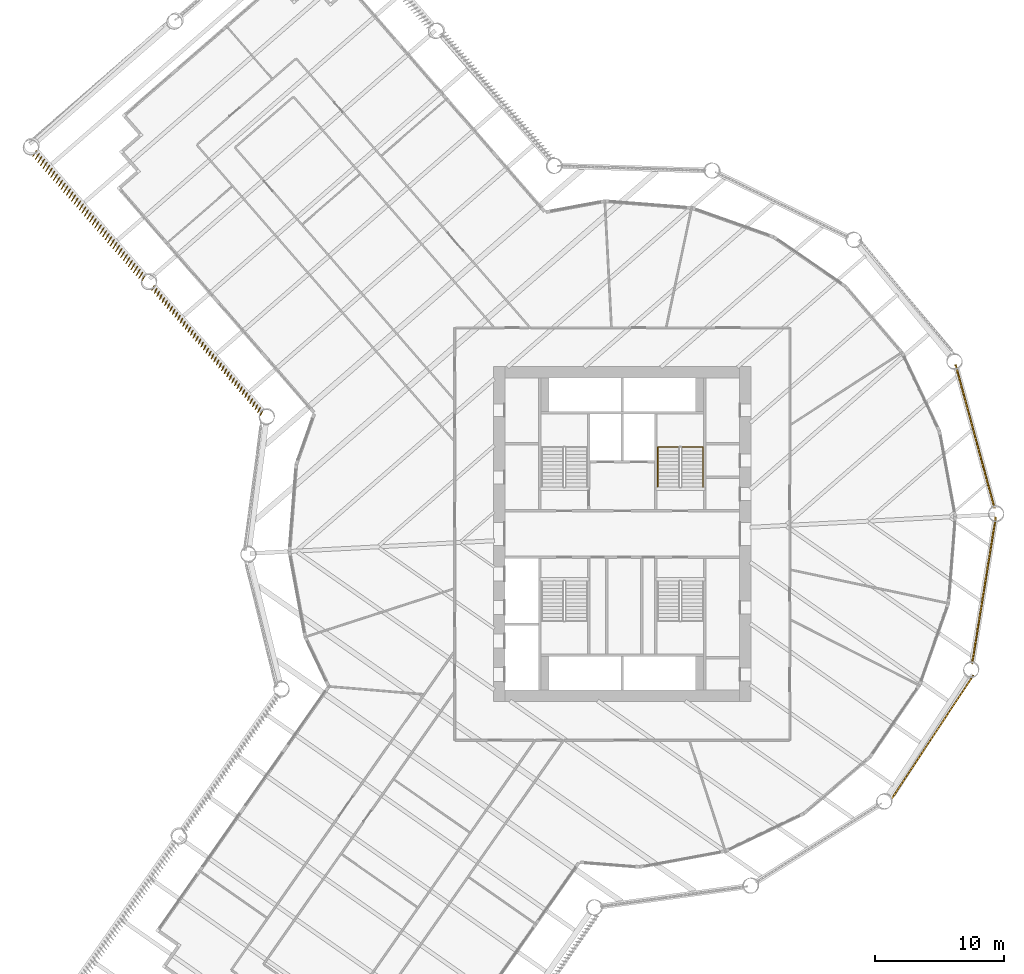
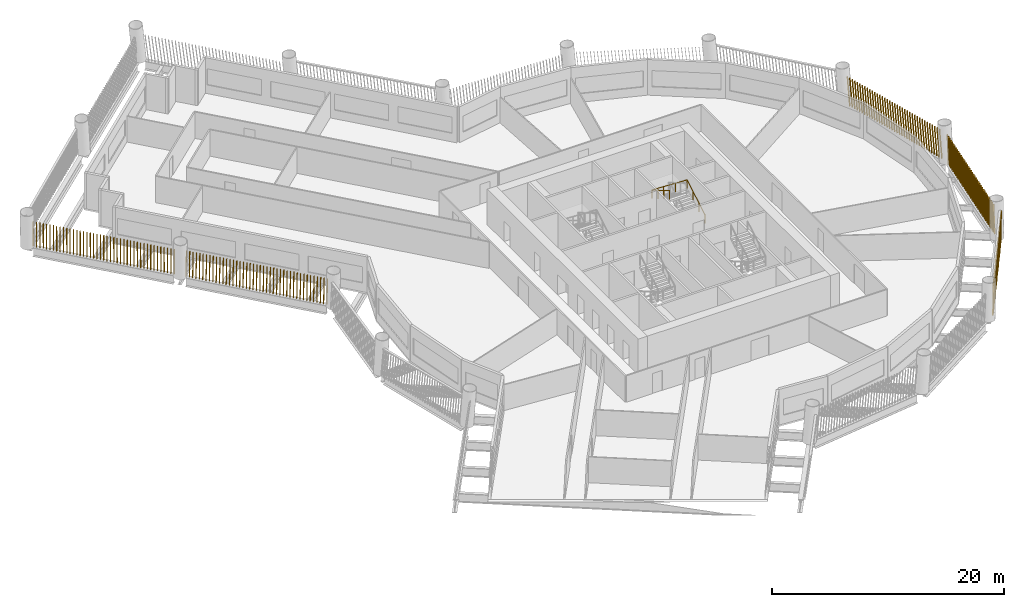
# One storey, part 13 of 15: 5 shading devices, 1 railing.
"""IFC4 building model written with IfcOpenShell, lengths in metres."""

from ifc_helpers import new_model, si_unit, direction, frame, frame_2d, origin, origin_2d, place, context, subcontext, project, spatial, rectangle, circle, composite_profile, extrude, material, type_object, element, save


model = new_model("IFC4")

# Units and contexts
model_context = context("Model", 3, precision=1e-05, world=origin(), true_north=direction((0.0, 1.0)))
body_context = subcontext(model_context, "Body", "Model", "MODEL_VIEW")
ifc_project = project(units=[si_unit("LENGTHUNIT", "METRE"), si_unit("AREAUNIT", "SQUARE_METRE"), si_unit("VOLUMEUNIT", "CUBIC_METRE"), si_unit("PLANEANGLEUNIT", "RADIAN"), si_unit("MASSUNIT", "GRAM", prefix="KILO")], contexts=[model_context])

# Site, building, storey
site_placement = place(None, origin())
site = spatial("IfcSite", under=ifc_project, at=site_placement, CompositionType="ELEMENT")
building_placement = place(site_placement, origin())
building = spatial("IfcBuilding", under=site, at=building_placement, Name="Tarsis Ring Headquarters", CompositionType="ELEMENT")
storey_placement = place(building_placement, frame((0.0, 0.0, 51.699951171875)))
storey = spatial("IfcBuildingStorey", under=building, at=storey_placement, Name="L10", CompositionType="ELEMENT", Elevation=51.699951171875)

# Railing
ifc_material_1 = material(Name="Steel S355", Category="steel")
railing_type = type_object("IfcRailingType", Name="Core stair handrail 900", PredefinedType="HANDRAIL", material=ifc_material_1)
railing_placement = place(storey_placement, frame((6.25, 3.659912109375, 0.16259765625)))
element("IfcRailing", 1, at=railing_placement, inside=storey, type_object=railing_type, Name="L10 ST2 stair handrail 1", PredefinedType="HANDRAIL", context=body_context, shape_type="SweptSolid", body=[
    extrude(circle(Radius=0.02392578125, at=origin_2d()), frame((0.0, 0.0, 0.8759765625), z_axis=(0.0, 0.864920483161, 0.501908913857), x_axis=(-1.0, 0.0, 0.0)), (0.0, 0.0, 1.0), 3.56103515625),
    extrude(circle(Radius=0.02392578125, at=origin_2d()), frame((0.0, 3.080078125, 2.6630859375), z_axis=(-0.998922641604, 0.0, 0.046406422943), x_axis=(0.0, -1.0, 0.0)), (0.0, 0.0, 1.0), 3.503662109375),
    extrude(circle(Radius=0.02392578125, at=origin_2d()), frame((-3.5, 3.080078125, 2.82568359375), z_axis=(0.0, -0.864890721111, 0.501960198159), x_axis=(1.0, 0.0, 0.0)), (0.0, 0.0, 1.0), 3.561279296875),
    extrude(circle(Radius=0.02099609375, at=origin_2d()), origin(), (0.0, 0.0, 1.0), 0.851806640625),
    extrude(circle(Radius=0.02099609375, at=origin_2d()), frame((0.0, 1.026611328125, 0.595703125)), (0.0, 0.0, 1.0), 0.851806640625),
    extrude(circle(Radius=0.02099609375, at=origin_2d()), frame((0.0, 2.053466796875, 1.191650390625)), (0.0, 0.0, 1.0), 0.851806640625),
    extrude(circle(Radius=0.02099609375, at=origin_2d()), frame((0.0, 3.080078125, 1.787353515625)), (0.0, 0.0, 1.0), 0.851806640625),
    extrude(circle(Radius=0.02099609375, at=origin_2d()), frame((-1.166748046875, 3.080078125, 1.841552734375)), (0.0, 0.0, 1.0), 0.851806640625),
    extrude(circle(Radius=0.02099609375, at=origin_2d()), frame((-2.333251953125, 3.080078125, 1.895751953125)), (0.0, 0.0, 1.0), 0.851806640625),
    extrude(circle(Radius=0.02099609375, at=origin_2d()), frame((-3.5, 3.080078125, 1.949951171875)), (0.0, 0.0, 1.0), 0.851806640625),
    extrude(circle(Radius=0.02099609375, at=origin_2d()), frame((-3.5, 2.053466796875, 2.5458984375)), (0.0, 0.0, 1.0), 0.851806640625),
    extrude(circle(Radius=0.02099609375, at=origin_2d()), frame((-3.5, 1.026611328125, 3.1416015625)), (0.0, 0.0, 1.0), 0.851806640625),
    extrude(circle(Radius=0.02099609375, at=origin_2d()), frame((-3.5, 0.0, 3.737548828125)), (0.0, 0.0, 1.0), 0.851806640625),
])

# Shading devices
ifc_material_2 = material(Name="Terracotta baguette", Category="masonry")
shading_device_type = type_object("IfcShadingDeviceType", Name="Terracotta baguette screen", PredefinedType="USERDEFINED", material=ifc_material_2)
shading_device_1_placement = place(storey_placement, frame((20.882080078125, -20.57470703125, 0.0), z_axis=(0.0, 0.0, 1.0), x_axis=(0.552131261394, 0.833752929942, 0.0)))
element("IfcShadingDevice", 2, at=shading_device_1_placement, inside=storey, type_object=shading_device_type, Name="Baguette screen L10-09", ObjectType="Terracotta baguette screen", PredefinedType="USERDEFINED", context=body_context, shape_type="SweptSolid", body=[
    extrude(composite_profile([rectangle(XDim=0.06005859375, YDim=0.1201171875, at=frame_2d((0.030029296875, 0.0))), rectangle(XDim=0.06005859375, YDim=0.1201171875, at=frame_2d((0.33251953125, 0.0))), rectangle(XDim=0.06005859375, YDim=0.1201171875, at=frame_2d((0.634765625, 0.0))), rectangle(XDim=0.06005859375, YDim=0.1201171875, at=frame_2d((0.937255859375, 0.0))), rectangle(XDim=0.06005859375, YDim=0.1201171875, at=frame_2d((1.239501953125, 0.0))), rectangle(XDim=0.06005859375, YDim=0.1201171875, at=frame_2d((1.5419921875, 0.0))), rectangle(XDim=0.06005859375, YDim=0.1201171875, at=frame_2d((1.844482421875, 0.0))), rectangle(XDim=0.06005859375, YDim=0.1201171875, at=frame_2d((2.146728515625, 0.0))), rectangle(XDim=0.06005859375, YDim=0.1201171875, at=frame_2d((2.44921875, 0.0))), rectangle(XDim=0.06005859375, YDim=0.1201171875, at=frame_2d((2.751708984375, 0.0))), rectangle(XDim=0.06005859375, YDim=0.1201171875, at=frame_2d((3.053955078125, 0.0))), rectangle(XDim=0.06005859375, YDim=0.1201171875, at=frame_2d((3.3564453125, 0.0))), rectangle(XDim=0.06005859375, YDim=0.1201171875, at=frame_2d((3.65869140625, 0.0))), rectangle(XDim=0.06005859375, YDim=0.1201171875, at=frame_2d((3.961181640625, 0.0))), rectangle(XDim=0.06005859375, YDim=0.1201171875, at=frame_2d((4.263671875, 0.0))), rectangle(XDim=0.06005859375, YDim=0.1201171875, at=frame_2d((4.56591796875, 0.0))), rectangle(XDim=0.06005859375, YDim=0.1201171875, at=frame_2d((4.868408203125, 0.0))), rectangle(XDim=0.06005859375, YDim=0.1201171875, at=frame_2d((5.1708984375, 0.0))), rectangle(XDim=0.06005859375, YDim=0.1201171875, at=frame_2d((5.47314453125, 0.0))), rectangle(XDim=0.06005859375, YDim=0.1201171875, at=frame_2d((5.775634765625, 0.0))), rectangle(XDim=0.06005859375, YDim=0.1201171875, at=frame_2d((6.077880859375, 0.0))), rectangle(XDim=0.06005859375, YDim=0.1201171875, at=frame_2d((6.38037109375, 0.0))), rectangle(XDim=0.06005859375, YDim=0.1201171875, at=frame_2d((6.682861328125, 0.0))), rectangle(XDim=0.06005859375, YDim=0.1201171875, at=frame_2d((6.985107421875, 0.0))), rectangle(XDim=0.06005859375, YDim=0.1201171875, at=frame_2d((7.28759765625, 0.0))), rectangle(XDim=0.06005859375, YDim=0.1201171875, at=frame_2d((7.590087890625, 0.0))), rectangle(XDim=0.06005859375, YDim=0.1201171875, at=frame_2d((7.892333984375, 0.0))), rectangle(XDim=0.06005859375, YDim=0.1201171875, at=frame_2d((8.19482421875, 0.0))), rectangle(XDim=0.06005859375, YDim=0.1201171875, at=frame_2d((8.4970703125, 0.0))), rectangle(XDim=0.06005859375, YDim=0.1201171875, at=frame_2d((8.799560546875, 0.0))), rectangle(XDim=0.06005859375, YDim=0.1201171875, at=frame_2d((9.10205078125, 0.0))), rectangle(XDim=0.06005859375, YDim=0.1201171875, at=frame_2d((9.404296875, 0.0))), rectangle(XDim=0.06005859375, YDim=0.1201171875, at=frame_2d((9.706787109375, 0.0))), rectangle(XDim=0.06005859375, YDim=0.1201171875, at=frame_2d((10.00927734375, 0.0))), rectangle(XDim=0.06005859375, YDim=0.1201171875, at=frame_2d((10.3115234375, 0.0))), rectangle(XDim=0.06005859375, YDim=0.1201171875, at=frame_2d((10.614013671875, 0.0))), rectangle(XDim=0.06005859375, YDim=0.1201171875, at=frame_2d((10.916259765625, 0.0))), rectangle(XDim=0.06005859375, YDim=0.1201171875, at=frame_2d((11.21875, 0.0)))]), origin(), (0.101509715551, 0.000530985707, 0.994834406172), 2.968017578125),
])
shading_device_2_placement = place(storey_placement, frame((27.135986328125, -10.078369140625, 0.0), z_axis=(0.0, 0.0, 1.0), x_axis=(0.159392295171, 0.987216494845, 0.0)))
element("IfcShadingDevice", 3, at=shading_device_2_placement, inside=storey, type_object=shading_device_type, Name="Baguette screen L10-10", ObjectType="Terracotta baguette screen", PredefinedType="USERDEFINED", context=body_context, shape_type="SweptSolid", body=[
    extrude(composite_profile([rectangle(XDim=0.06005859375, YDim=0.1201171875, at=frame_2d((0.030029296875, 0.0))), rectangle(XDim=0.06005859375, YDim=0.1201171875, at=frame_2d((0.33251953125, 0.0))), rectangle(XDim=0.06005859375, YDim=0.1201171875, at=frame_2d((0.634765625, 0.0))), rectangle(XDim=0.06005859375, YDim=0.1201171875, at=frame_2d((0.937255859375, 0.0))), rectangle(XDim=0.06005859375, YDim=0.1201171875, at=frame_2d((1.239501953125, 0.0))), rectangle(XDim=0.06005859375, YDim=0.1201171875, at=frame_2d((1.5419921875, 0.0))), rectangle(XDim=0.06005859375, YDim=0.1201171875, at=frame_2d((1.844482421875, 0.0))), rectangle(XDim=0.06005859375, YDim=0.1201171875, at=frame_2d((2.146728515625, 0.0))), rectangle(XDim=0.06005859375, YDim=0.1201171875, at=frame_2d((2.44921875, 0.0))), rectangle(XDim=0.06005859375, YDim=0.1201171875, at=frame_2d((2.751708984375, 0.0))), rectangle(XDim=0.06005859375, YDim=0.1201171875, at=frame_2d((3.053955078125, 0.0))), rectangle(XDim=0.06005859375, YDim=0.1201171875, at=frame_2d((3.3564453125, 0.0))), rectangle(XDim=0.06005859375, YDim=0.1201171875, at=frame_2d((3.65869140625, 0.0))), rectangle(XDim=0.06005859375, YDim=0.1201171875, at=frame_2d((3.961181640625, 0.0))), rectangle(XDim=0.06005859375, YDim=0.1201171875, at=frame_2d((4.263671875, 0.0))), rectangle(XDim=0.06005859375, YDim=0.1201171875, at=frame_2d((4.56591796875, 0.0))), rectangle(XDim=0.06005859375, YDim=0.1201171875, at=frame_2d((4.868408203125, 0.0))), rectangle(XDim=0.06005859375, YDim=0.1201171875, at=frame_2d((5.1708984375, 0.0))), rectangle(XDim=0.06005859375, YDim=0.1201171875, at=frame_2d((5.47314453125, 0.0))), rectangle(XDim=0.06005859375, YDim=0.1201171875, at=frame_2d((5.775634765625, 0.0))), rectangle(XDim=0.06005859375, YDim=0.1201171875, at=frame_2d((6.077880859375, 0.0))), rectangle(XDim=0.06005859375, YDim=0.1201171875, at=frame_2d((6.38037109375, 0.0))), rectangle(XDim=0.06005859375, YDim=0.1201171875, at=frame_2d((6.682861328125, 0.0))), rectangle(XDim=0.06005859375, YDim=0.1201171875, at=frame_2d((6.985107421875, 0.0))), rectangle(XDim=0.06005859375, YDim=0.1201171875, at=frame_2d((7.28759765625, 0.0))), rectangle(XDim=0.06005859375, YDim=0.1201171875, at=frame_2d((7.590087890625, 0.0))), rectangle(XDim=0.06005859375, YDim=0.1201171875, at=frame_2d((7.892333984375, 0.0))), rectangle(XDim=0.06005859375, YDim=0.1201171875, at=frame_2d((8.19482421875, 0.0))), rectangle(XDim=0.06005859375, YDim=0.1201171875, at=frame_2d((8.4970703125, 0.0))), rectangle(XDim=0.06005859375, YDim=0.1201171875, at=frame_2d((8.799560546875, 0.0))), rectangle(XDim=0.06005859375, YDim=0.1201171875, at=frame_2d((9.10205078125, 0.0))), rectangle(XDim=0.06005859375, YDim=0.1201171875, at=frame_2d((9.404296875, 0.0))), rectangle(XDim=0.06005859375, YDim=0.1201171875, at=frame_2d((9.706787109375, 0.0))), rectangle(XDim=0.06005859375, YDim=0.1201171875, at=frame_2d((10.00927734375, 0.0))), rectangle(XDim=0.06005859375, YDim=0.1201171875, at=frame_2d((10.3115234375, 0.0))), rectangle(XDim=0.06005859375, YDim=0.1201171875, at=frame_2d((10.614013671875, 0.0))), rectangle(XDim=0.06005859375, YDim=0.1201171875, at=frame_2d((10.916259765625, 0.0))), rectangle(XDim=0.06005859375, YDim=0.1201171875, at=frame_2d((11.21875, 0.0)))]), origin(), (0.100200533552, 0.000525512866, 0.994967123533), 2.967529296875),
])
shading_device_3_placement = place(storey_placement, frame((28.8779296875, 2.0029296875, 0.0), z_axis=(0.0, 0.0, 1.0), x_axis=(-0.261703743896, 0.965143787303, 0.0)))
element("IfcShadingDevice", 4, at=shading_device_3_placement, inside=storey, type_object=shading_device_type, Name="Baguette screen L10-11", ObjectType="Terracotta baguette screen", PredefinedType="USERDEFINED", context=body_context, shape_type="SweptSolid", body=[
    extrude(composite_profile([rectangle(XDim=0.06005859375, YDim=0.1201171875, at=frame_2d((0.030029296875, 0.0))), rectangle(XDim=0.06005859375, YDim=0.1201171875, at=frame_2d((0.33251953125, 0.0))), rectangle(XDim=0.06005859375, YDim=0.1201171875, at=frame_2d((0.634765625, 0.0))), rectangle(XDim=0.06005859375, YDim=0.1201171875, at=frame_2d((0.937255859375, 0.0))), rectangle(XDim=0.06005859375, YDim=0.1201171875, at=frame_2d((1.239501953125, 0.0))), rectangle(XDim=0.06005859375, YDim=0.1201171875, at=frame_2d((1.5419921875, 0.0))), rectangle(XDim=0.06005859375, YDim=0.1201171875, at=frame_2d((1.844482421875, 0.0))), rectangle(XDim=0.06005859375, YDim=0.1201171875, at=frame_2d((2.146728515625, 0.0))), rectangle(XDim=0.06005859375, YDim=0.1201171875, at=frame_2d((2.44921875, 0.0))), rectangle(XDim=0.06005859375, YDim=0.1201171875, at=frame_2d((2.751708984375, 0.0))), rectangle(XDim=0.06005859375, YDim=0.1201171875, at=frame_2d((3.053955078125, 0.0))), rectangle(XDim=0.06005859375, YDim=0.1201171875, at=frame_2d((3.3564453125, 0.0))), rectangle(XDim=0.06005859375, YDim=0.1201171875, at=frame_2d((3.65869140625, 0.0))), rectangle(XDim=0.06005859375, YDim=0.1201171875, at=frame_2d((3.961181640625, 0.0))), rectangle(XDim=0.06005859375, YDim=0.1201171875, at=frame_2d((4.263671875, 0.0))), rectangle(XDim=0.06005859375, YDim=0.1201171875, at=frame_2d((4.56591796875, 0.0))), rectangle(XDim=0.06005859375, YDim=0.1201171875, at=frame_2d((4.868408203125, 0.0))), rectangle(XDim=0.06005859375, YDim=0.1201171875, at=frame_2d((5.1708984375, 0.0))), rectangle(XDim=0.06005859375, YDim=0.1201171875, at=frame_2d((5.47314453125, 0.0))), rectangle(XDim=0.06005859375, YDim=0.1201171875, at=frame_2d((5.775634765625, 0.0))), rectangle(XDim=0.06005859375, YDim=0.1201171875, at=frame_2d((6.077880859375, 0.0))), rectangle(XDim=0.06005859375, YDim=0.1201171875, at=frame_2d((6.38037109375, 0.0))), rectangle(XDim=0.06005859375, YDim=0.1201171875, at=frame_2d((6.682861328125, 0.0))), rectangle(XDim=0.06005859375, YDim=0.1201171875, at=frame_2d((6.985107421875, 0.0))), rectangle(XDim=0.06005859375, YDim=0.1201171875, at=frame_2d((7.28759765625, 0.0))), rectangle(XDim=0.06005859375, YDim=0.1201171875, at=frame_2d((7.590087890625, 0.0))), rectangle(XDim=0.06005859375, YDim=0.1201171875, at=frame_2d((7.892333984375, 0.0))), rectangle(XDim=0.06005859375, YDim=0.1201171875, at=frame_2d((8.19482421875, 0.0))), rectangle(XDim=0.06005859375, YDim=0.1201171875, at=frame_2d((8.4970703125, 0.0))), rectangle(XDim=0.06005859375, YDim=0.1201171875, at=frame_2d((8.799560546875, 0.0))), rectangle(XDim=0.06005859375, YDim=0.1201171875, at=frame_2d((9.10205078125, 0.0))), rectangle(XDim=0.06005859375, YDim=0.1201171875, at=frame_2d((9.404296875, 0.0))), rectangle(XDim=0.06005859375, YDim=0.1201171875, at=frame_2d((9.706787109375, 0.0))), rectangle(XDim=0.06005859375, YDim=0.1201171875, at=frame_2d((10.00927734375, 0.0))), rectangle(XDim=0.06005859375, YDim=0.1201171875, at=frame_2d((10.3115234375, 0.0))), rectangle(XDim=0.06005859375, YDim=0.1201171875, at=frame_2d((10.614013671875, 0.0))), rectangle(XDim=0.06005859375, YDim=0.1201171875, at=frame_2d((10.916259765625, 0.0))), rectangle(XDim=0.06005859375, YDim=0.1201171875, at=frame_2d((11.21875, 0.0)))]), origin(), (0.100199920563, 0.000524620715, 0.994967185736), 2.967529296875),
])
shading_device_4_placement = place(storey_placement, frame((-45.481689453125, 29.76171875, 0.0), z_axis=(0.0, 0.0, 1.0), x_axis=(0.656070239177, -0.754711625795, 0.0)))
element("IfcShadingDevice", 5, at=shading_device_4_placement, inside=storey, type_object=shading_device_type, Name="Baguette screen L10-19", ObjectType="Terracotta baguette screen", PredefinedType="USERDEFINED", context=body_context, shape_type="SweptSolid", body=[
    extrude(composite_profile([rectangle(XDim=0.06005859375, YDim=0.1201171875, at=frame_2d((0.030029296875, 0.0))), rectangle(XDim=0.06005859375, YDim=0.1201171875, at=frame_2d((0.335693359375, 0.0))), rectangle(XDim=0.06005859375, YDim=0.1201171875, at=frame_2d((0.6416015625, 0.0))), rectangle(XDim=0.06005859375, YDim=0.1201171875, at=frame_2d((0.947265625, 0.0))), rectangle(XDim=0.06005859375, YDim=0.1201171875, at=frame_2d((1.253173828125, 0.0))), rectangle(XDim=0.06005859375, YDim=0.1201171875, at=frame_2d((1.558837890625, 0.0))), rectangle(XDim=0.06005859375, YDim=0.1201171875, at=frame_2d((1.864501953125, 0.0))), rectangle(XDim=0.06005859375, YDim=0.1201171875, at=frame_2d((2.17041015625, 0.0))), rectangle(XDim=0.06005859375, YDim=0.1201171875, at=frame_2d((2.47607421875, 0.0))), rectangle(XDim=0.06005859375, YDim=0.1201171875, at=frame_2d((2.781982421875, 0.0))), rectangle(XDim=0.06005859375, YDim=0.1201171875, at=frame_2d((3.087646484375, 0.0))), rectangle(XDim=0.06005859375, YDim=0.1201171875, at=frame_2d((3.393310546875, 0.0))), rectangle(XDim=0.06005859375, YDim=0.1201171875, at=frame_2d((3.69921875, 0.0))), rectangle(XDim=0.06005859375, YDim=0.1201171875, at=frame_2d((4.0048828125, 0.0))), rectangle(XDim=0.06005859375, YDim=0.1201171875, at=frame_2d((4.310791015625, 0.0))), rectangle(XDim=0.06005859375, YDim=0.1201171875, at=frame_2d((4.616455078125, 0.0))), rectangle(XDim=0.06005859375, YDim=0.1201171875, at=frame_2d((4.922119140625, 0.0))), rectangle(XDim=0.06005859375, YDim=0.1201171875, at=frame_2d((5.22802734375, 0.0))), rectangle(XDim=0.06005859375, YDim=0.1201171875, at=frame_2d((5.53369140625, 0.0))), rectangle(XDim=0.06005859375, YDim=0.1201171875, at=frame_2d((5.839599609375, 0.0))), rectangle(XDim=0.06005859375, YDim=0.1201171875, at=frame_2d((6.145263671875, 0.0))), rectangle(XDim=0.06005859375, YDim=0.1201171875, at=frame_2d((6.451171875, 0.0))), rectangle(XDim=0.06005859375, YDim=0.1201171875, at=frame_2d((6.7568359375, 0.0))), rectangle(XDim=0.06005859375, YDim=0.1201171875, at=frame_2d((7.0625, 0.0))), rectangle(XDim=0.06005859375, YDim=0.1201171875, at=frame_2d((7.368408203125, 0.0))), rectangle(XDim=0.06005859375, YDim=0.1201171875, at=frame_2d((7.674072265625, 0.0))), rectangle(XDim=0.06005859375, YDim=0.1201171875, at=frame_2d((7.97998046875, 0.0))), rectangle(XDim=0.06005859375, YDim=0.1201171875, at=frame_2d((8.28564453125, 0.0))), rectangle(XDim=0.06005859375, YDim=0.1201171875, at=frame_2d((8.59130859375, 0.0))), rectangle(XDim=0.06005859375, YDim=0.1201171875, at=frame_2d((8.897216796875, 0.0))), rectangle(XDim=0.06005859375, YDim=0.1201171875, at=frame_2d((9.202880859375, 0.0))), rectangle(XDim=0.06005859375, YDim=0.1201171875, at=frame_2d((9.5087890625, 0.0))), rectangle(XDim=0.06005859375, YDim=0.1201171875, at=frame_2d((9.814453125, 0.0))), rectangle(XDim=0.06005859375, YDim=0.1201171875, at=frame_2d((10.1201171875, 0.0))), rectangle(XDim=0.06005859375, YDim=0.1201171875, at=frame_2d((10.426025390625, 0.0))), rectangle(XDim=0.06005859375, YDim=0.1201171875, at=frame_2d((10.731689453125, 0.0))), rectangle(XDim=0.06005859375, YDim=0.1201171875, at=frame_2d((11.03759765625, 0.0))), rectangle(XDim=0.06005859375, YDim=0.1201171875, at=frame_2d((11.34326171875, 0.0))), rectangle(XDim=0.06005859375, YDim=0.1201171875, at=frame_2d((11.64892578125, 0.0))), rectangle(XDim=0.06005859375, YDim=0.1201171875, at=frame_2d((11.954833984375, 0.0))), rectangle(XDim=0.06005859375, YDim=0.1201171875, at=frame_2d((12.260498046875, 0.0))), rectangle(XDim=0.06005859375, YDim=0.1201171875, at=frame_2d((12.56640625, 0.0))), rectangle(XDim=0.06005859375, YDim=0.1201171875, at=frame_2d((12.8720703125, 0.0)))]), origin(), (0.052578221565, -0.160015086558, 0.985713296395), 2.995361328125),
])
shading_device_5_placement = place(storey_placement, frame((-36.36083984375, 19.26953125, 0.0), z_axis=(0.0, 0.0, 1.0), x_axis=(0.656051316985, -0.754711625795, 0.0)))
element("IfcShadingDevice", 6, at=shading_device_5_placement, inside=storey, type_object=shading_device_type, Name="Baguette screen L10-20", ObjectType="Terracotta baguette screen", PredefinedType="USERDEFINED", context=body_context, shape_type="SweptSolid", body=[
    extrude(composite_profile([rectangle(XDim=0.06005859375, YDim=0.1201171875, at=frame_2d((0.030029296875, 0.0))), rectangle(XDim=0.06005859375, YDim=0.1201171875, at=frame_2d((0.335693359375, 0.0))), rectangle(XDim=0.06005859375, YDim=0.1201171875, at=frame_2d((0.6416015625, 0.0))), rectangle(XDim=0.06005859375, YDim=0.1201171875, at=frame_2d((0.947265625, 0.0))), rectangle(XDim=0.06005859375, YDim=0.1201171875, at=frame_2d((1.253173828125, 0.0))), rectangle(XDim=0.06005859375, YDim=0.1201171875, at=frame_2d((1.558837890625, 0.0))), rectangle(XDim=0.06005859375, YDim=0.1201171875, at=frame_2d((1.864501953125, 0.0))), rectangle(XDim=0.06005859375, YDim=0.1201171875, at=frame_2d((2.17041015625, 0.0))), rectangle(XDim=0.06005859375, YDim=0.1201171875, at=frame_2d((2.47607421875, 0.0))), rectangle(XDim=0.06005859375, YDim=0.1201171875, at=frame_2d((2.781982421875, 0.0))), rectangle(XDim=0.06005859375, YDim=0.1201171875, at=frame_2d((3.087646484375, 0.0))), rectangle(XDim=0.06005859375, YDim=0.1201171875, at=frame_2d((3.393310546875, 0.0))), rectangle(XDim=0.06005859375, YDim=0.1201171875, at=frame_2d((3.69921875, 0.0))), rectangle(XDim=0.06005859375, YDim=0.1201171875, at=frame_2d((4.0048828125, 0.0))), rectangle(XDim=0.06005859375, YDim=0.1201171875, at=frame_2d((4.310791015625, 0.0))), rectangle(XDim=0.06005859375, YDim=0.1201171875, at=frame_2d((4.616455078125, 0.0))), rectangle(XDim=0.06005859375, YDim=0.1201171875, at=frame_2d((4.922119140625, 0.0))), rectangle(XDim=0.06005859375, YDim=0.1201171875, at=frame_2d((5.22802734375, 0.0))), rectangle(XDim=0.06005859375, YDim=0.1201171875, at=frame_2d((5.53369140625, 0.0))), rectangle(XDim=0.06005859375, YDim=0.1201171875, at=frame_2d((5.839599609375, 0.0))), rectangle(XDim=0.06005859375, YDim=0.1201171875, at=frame_2d((6.145263671875, 0.0))), rectangle(XDim=0.06005859375, YDim=0.1201171875, at=frame_2d((6.451171875, 0.0))), rectangle(XDim=0.06005859375, YDim=0.1201171875, at=frame_2d((6.7568359375, 0.0))), rectangle(XDim=0.06005859375, YDim=0.1201171875, at=frame_2d((7.0625, 0.0))), rectangle(XDim=0.06005859375, YDim=0.1201171875, at=frame_2d((7.368408203125, 0.0))), rectangle(XDim=0.06005859375, YDim=0.1201171875, at=frame_2d((7.674072265625, 0.0))), rectangle(XDim=0.06005859375, YDim=0.1201171875, at=frame_2d((7.97998046875, 0.0))), rectangle(XDim=0.06005859375, YDim=0.1201171875, at=frame_2d((8.28564453125, 0.0))), rectangle(XDim=0.06005859375, YDim=0.1201171875, at=frame_2d((8.59130859375, 0.0))), rectangle(XDim=0.06005859375, YDim=0.1201171875, at=frame_2d((8.897216796875, 0.0))), rectangle(XDim=0.06005859375, YDim=0.1201171875, at=frame_2d((9.202880859375, 0.0))), rectangle(XDim=0.06005859375, YDim=0.1201171875, at=frame_2d((9.5087890625, 0.0))), rectangle(XDim=0.06005859375, YDim=0.1201171875, at=frame_2d((9.814453125, 0.0))), rectangle(XDim=0.06005859375, YDim=0.1201171875, at=frame_2d((10.1201171875, 0.0))), rectangle(XDim=0.06005859375, YDim=0.1201171875, at=frame_2d((10.426025390625, 0.0))), rectangle(XDim=0.06005859375, YDim=0.1201171875, at=frame_2d((10.731689453125, 0.0))), rectangle(XDim=0.06005859375, YDim=0.1201171875, at=frame_2d((11.03759765625, 0.0))), rectangle(XDim=0.06005859375, YDim=0.1201171875, at=frame_2d((11.34326171875, 0.0))), rectangle(XDim=0.06005859375, YDim=0.1201171875, at=frame_2d((11.64892578125, 0.0))), rectangle(XDim=0.06005859375, YDim=0.1201171875, at=frame_2d((11.954833984375, 0.0))), rectangle(XDim=0.06005859375, YDim=0.1201171875, at=frame_2d((12.260498046875, 0.0))), rectangle(XDim=0.06005859375, YDim=0.1201171875, at=frame_2d((12.56640625, 0.0))), rectangle(XDim=0.06005859375, YDim=0.1201171875, at=frame_2d((12.8720703125, 0.0)))]), origin(), (0.052674247855, -0.112154867935, 0.992293660774), 2.9755859375),
])

save(model, "model.ifc")
